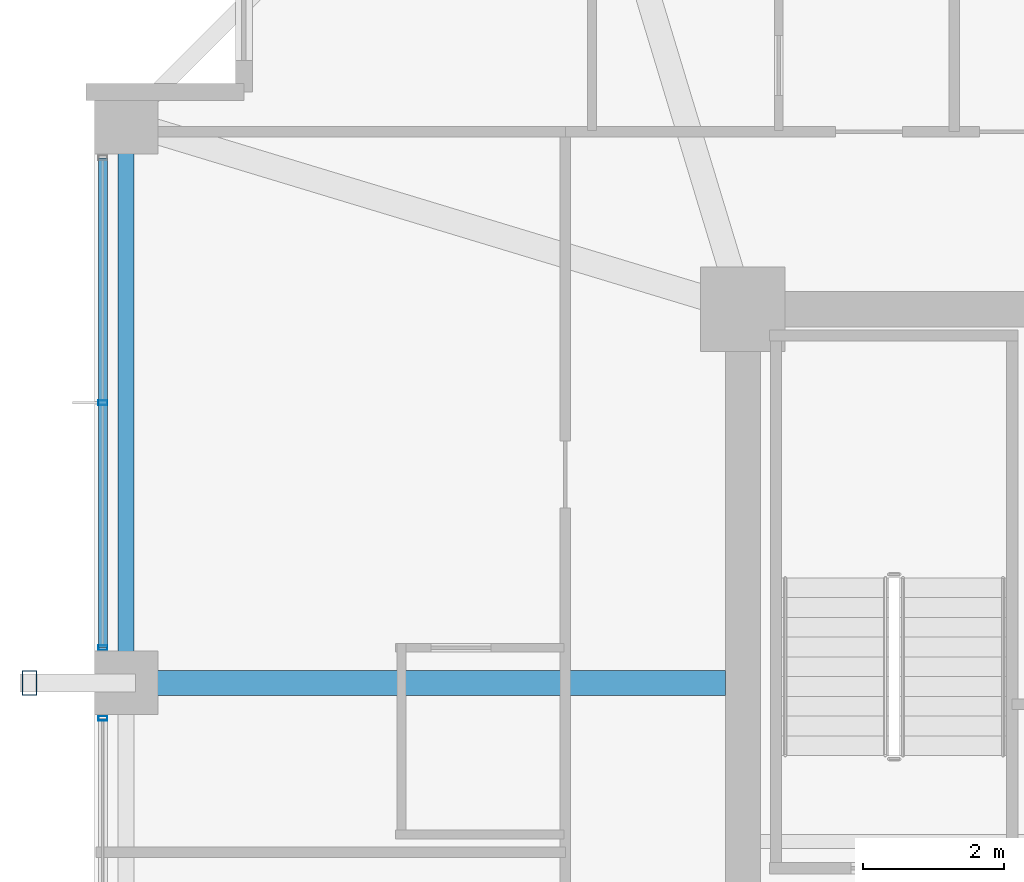
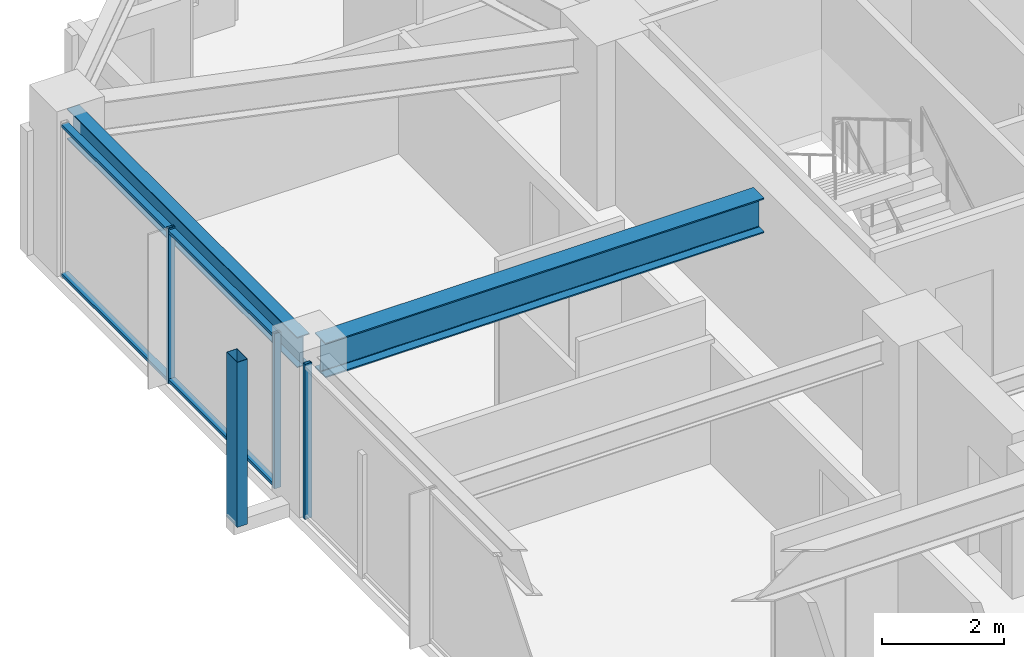
# One storey, part 9 of 32: 6 members, 2 beams, 2 elements without a shape of their own.
"""IFC4 building model written with IfcOpenShell, lengths in metres."""

import ifcopenshell
import ifcopenshell.guid

model = None  # the IFC model being written
_history = None  # IfcOwnerHistory: only IFC2X3 demands one
_inside = {}  # id of a spatial element -> (the spatial element, [elements in it])
_under = {}  # id of a project, library or spatial element -> (it, [spatial elements below it])
_declared = {}  # id of a project -> (the project, [libraries it declares])
_typed = {}  # id of a type object -> (the type object, [elements of that type])
_made_of = {}  # id of a material, layer set ... -> (it, [elements and type objects made of it])


def new_model(schema):
    """Start an empty IFC model of exactly this schema.

    Asked for "IFC4X3", IfcOpenShell would pick the latest addendum, in which some entities
    have other attributes; the version numbers below select the first issue.
    IFC2X3 requires an IfcOwnerHistory on every rooted entity: one is made here for all.
    """
    global model, _history
    if schema == "IFC4X3":
        model = ifcopenshell.file(schema_version=(4, 3, 0, 0))
    else:
        model = ifcopenshell.file(schema=schema)
    _inside.clear()
    _under.clear()
    _declared.clear()
    _typed.clear()
    _made_of.clear()
    _history = None
    if model.schema == "IFC2X3":
        org = make("IfcOrganization", Name="unknown")
        user = make(
            "IfcPersonAndOrganization",
            ThePerson=make("IfcPerson", FamilyName="unknown"),
            TheOrganization=org,
        )
        app = make(
            "IfcApplication",
            ApplicationDeveloper=org,
            Version="unknown",
            ApplicationFullName="unknown",
            ApplicationIdentifier="unknown",
        )
        _history = make(
            "IfcOwnerHistory",
            OwningUser=user,
            OwningApplication=app,
            ChangeAction="ADDED",
            CreationDate=0,
        )
    return model


def make(cls, **values):
    """One entity of the class cls with the attributes given. An attribute that is None is left unset."""
    return model.create_entity(
        cls, **{name: value for name, value in values.items() if value is not None}
    )


def rooted(cls, **values):
    """An entity with a GlobalId (a new one), such as an element, a storey or a relation."""
    return make(cls, GlobalId=ifcopenshell.guid.new(), OwnerHistory=_history, **values)


def si_unit(unit_type, name, prefix=None):
    """IfcSIUnit, for example si_unit("LENGTHUNIT", "METRE", prefix="MILLI")."""
    return make("IfcSIUnit", UnitType=unit_type, Prefix=prefix, Name=name)


def assignment(units):
    """IfcUnitAssignment: the units of a project."""
    return None if units is None else make("IfcUnitAssignment", Units=units)


def point(xyz):
    """IfcCartesianPoint."""
    return None if xyz is None else make("IfcCartesianPoint", Coordinates=xyz)


def direction(xyz):
    """IfcDirection."""
    return None if xyz is None else make("IfcDirection", DirectionRatios=xyz)


def frame(location, z_axis=None, x_axis=None):
    """IfcAxis2Placement3D, a coordinate frame: its origin and axes. An axis left out is left unset."""
    return make(
        "IfcAxis2Placement3D",
        Location=point(location),
        Axis=direction(z_axis),
        RefDirection=direction(x_axis),
    )


def frame_2d(location, x_axis=None):
    """IfcAxis2Placement2D, a coordinate frame in the plane: its origin and x axis."""
    return make(
        "IfcAxis2Placement2D", Location=point(location), RefDirection=direction(x_axis)
    )


def origin():
    """The frame at (0, 0, 0) with its axes left unset."""
    return frame((0.0, 0.0, 0.0))


def origin_2d():
    """The frame at (0, 0) in the plane with its x axis left unset."""
    return frame_2d((0.0, 0.0))


def place(relative_to, where):
    """IfcLocalPlacement: puts the frame where relative to a parent placement (None: the world)."""
    return make(
        "IfcLocalPlacement", PlacementRelTo=relative_to, RelativePlacement=where
    )


def context(
    kind, dimensions, precision=None, world=None, true_north=None, identifier=None
):
    """IfcGeometricRepresentationContext, for example the 3D "Model" context."""
    return make(
        "IfcGeometricRepresentationContext",
        ContextIdentifier=identifier,
        ContextType=kind,
        CoordinateSpaceDimension=dimensions,
        Precision=precision,
        WorldCoordinateSystem=world,
        TrueNorth=true_north,
    )


def subcontext(parent, identifier, kind, view, scale=None):
    """IfcGeometricRepresentationSubContext, for example "Body" below "Model"."""
    return make(
        "IfcGeometricRepresentationSubContext",
        ContextIdentifier=identifier,
        ContextType=kind,
        ParentContext=parent,
        TargetScale=scale,
        TargetView=view,
    )


def project(units=None, contexts=None):
    """IfcProject with its units and contexts."""
    return rooted(
        "IfcProject",
        Name="project",
        RepresentationContexts=contexts,
        UnitsInContext=assignment(units),
    )


def spatial(cls, under=None, at=None, **own):
    """A site, building, storey or space (cls), placed at a placement, below another one or the project."""
    s = rooted(cls, ObjectPlacement=at, **own)
    if under is not None:
        _under.setdefault(under.id(), (under, []))[1].append(s)
    return s


def profile(cls, at=None, kind="AREA", **sizes):
    """A parametric profile (cls). Its sizes go by their IFC names, for example OverallWidth=200.0."""
    return make(cls, ProfileType=kind, Position=at, **sizes)


def hollow_rectangle(**sizes):
    """IfcRectangleHollowProfileDef."""
    return profile("IfcRectangleHollowProfileDef", **sizes)


def i_section(**sizes):
    """IfcIShapeProfileDef."""
    return profile("IfcIShapeProfileDef", **sizes)


def extrude(swept, where, along, depth):
    """IfcExtrudedAreaSolid: the profile swept, set in the frame where, extruded along a direction by depth."""
    return make(
        "IfcExtrudedAreaSolid",
        SweptArea=swept,
        Position=where,
        ExtrudedDirection=direction(along),
        Depth=depth,
    )


def shape(context_of_items, identifier, shape_type, items):
    """IfcShapeRepresentation: the items that make up one representation, for example the "Body"."""
    return make(
        "IfcShapeRepresentation",
        ContextOfItems=context_of_items,
        RepresentationIdentifier=identifier,
        RepresentationType=shape_type,
        Items=items,
    )


def material(Name=None, Category=None):
    """IfcMaterial."""
    return make("IfcMaterial", Name=Name, Category=Category)


def material_profile(
    of_material, cross_section, Name=None, Category=None, Priority=None
):
    """IfcMaterialProfile: a cross section and its material."""
    return make(
        "IfcMaterialProfile",
        Name=Name,
        Material=of_material,
        Profile=cross_section,
        Priority=Priority,
        Category=Category,
    )


def profile_set(profiles, Name=None, composite=None):
    """IfcMaterialProfileSet."""
    return make(
        "IfcMaterialProfileSet",
        Name=Name,
        MaterialProfiles=profiles,
        CompositeProfile=composite,
    )


def made_of(thing, what):
    """Note that an element or type object is made of a material, layer set ...; save() writes the relation."""
    if what is not None:
        _made_of.setdefault(what.id(), (what, []))[1].append(thing)
    return thing


def type_object(cls, material=None, **own):
    """A type object (cls), such as IfcWallType, which elements share."""
    return made_of(rooted(cls, **own), material)


def element(
    cls,
    number,
    at=None,
    inside=None,
    cuts=None,
    type_object=None,
    material=None,
    context=None,
    identifier="Body",
    shape_type=None,
    held_by="IfcProductDefinitionShape",
    body=None,
    shapes=None,
    **own,
):
    """One element of the class cls, such as IfcWall. Its Tag is "e" and its number.

    at: its placement. inside: the storey or other place that contains it. cuts: it is an
    opening in that element (IfcRelVoidsElement). A single representation is given by context,
    identifier, shape_type and body (its items); several are given by shapes. held_by: the class
    of the entity that holds the representations. save() writes the other relations.
    """
    e = rooted(cls, Tag="e%d" % number, ObjectPlacement=at, **own)
    if body is not None:
        shapes = [shape(context, identifier, shape_type, body)]
    if shapes is not None:
        e.Representation = make(held_by, Representations=shapes)
    if inside is not None:
        _inside.setdefault(inside.id(), (inside, []))[1].append(e)
    if cuts is not None:
        rooted(
            "IfcRelVoidsElement", RelatingBuildingElement=cuts, RelatedOpeningElement=e
        )
    if type_object is not None:
        _typed.setdefault(type_object.id(), (type_object, []))[1].append(e)
    return made_of(e, material)


def aggregate(whole, parts):
    """IfcRelAggregates: a whole, such as a stair, and the parts it consists of."""
    return rooted("IfcRelAggregates", RelatingObject=whole, RelatedObjects=parts)


def save(model, path):
    """Write the relations noted so far, then the file.

    IfcRelAggregates (storeys below a building ...), IfcRelContainedInSpatialStructure (elements
    in a storey), IfcRelDefinesByType, IfcRelAssociatesMaterial and IfcRelDeclares: one each for
    every whole, place, type object, material and project.
    """
    for whole, parts in _under.values():
        aggregate(whole, parts)
    for where, things in _inside.values():
        rooted(
            "IfcRelContainedInSpatialStructure",
            RelatedElements=things,
            RelatingStructure=where,
        )
    for kind, things in _typed.values():
        rooted("IfcRelDefinesByType", RelatedObjects=things, RelatingType=kind)
    for what, things in _made_of.values():
        rooted("IfcRelAssociatesMaterial", RelatedObjects=things, RelatingMaterial=what)
    for by, libraries in _declared.values():
        rooted("IfcRelDeclares", RelatingContext=by, RelatedDefinitions=libraries)
    model.write(path)


model = new_model("IFC4")

# Units and contexts
model_context = context("Model", 3, precision=1e-05, world=origin(), true_north=direction((0.0, 1.0)))
body_context = subcontext(model_context, "Body", "Model", "MODEL_VIEW")
ifc_project = project(units=[si_unit("LENGTHUNIT", "METRE"), si_unit("AREAUNIT", "SQUARE_METRE"), si_unit("VOLUMEUNIT", "CUBIC_METRE"), si_unit("PLANEANGLEUNIT", "RADIAN"), si_unit("MASSUNIT", "GRAM", prefix="KILO")], contexts=[model_context])

# Site, building, storey
site_placement = place(None, origin())
site = spatial("IfcSite", under=ifc_project, at=site_placement, CompositionType="ELEMENT")
building_placement = place(site_placement, origin())
building = spatial("IfcBuilding", under=site, at=building_placement, Name="Kolvaren Belvedere", CompositionType="ELEMENT")
storey_placement = place(building_placement, frame((0.0, 0.0, 160.199951171875)))
storey = spatial("IfcBuildingStorey", under=building, at=storey_placement, Name="L46", CompositionType="ELEMENT", Elevation=160.199951171875)

# Beams
ifc_material_1 = material(Name="Structural steel ASTM A992 Grade 50", Category="steel")
ifc_material_profile_1 = material_profile(ifc_material_1, i_section(OverallWidth=0.35498046875, OverallDepth=0.696044921875, WebThickness=0.015380859375, FlangeThickness=0.02490234375, FilletRadius=0.02197265625, at=origin_2d()), Name="W27X146")
ifc_profile_set_1 = profile_set([ifc_material_profile_1], Name="Structural steel ASTM A992 Grade 50")
beam_type_1 = type_object("IfcBeamType", Name="BM-GIRD-W27X146", PredefinedType="BEAM", material=ifc_profile_set_1)
beam_1_placement = place(storey_placement, frame((-10.14990234375, 4.60009765625, 2.751953125), z_axis=(-1.0, 0.0, 0.0), x_axis=(0.0, -1.0, 0.0)))
element("IfcBeam", 1, at=beam_1_placement, inside=storey, type_object=beam_type_1, Name="L46 West Radial Girder P", PredefinedType="BEAM", context=body_context, shape_type="SweptSolid", body=[
    extrude(i_section(OverallWidth=0.35498046875, OverallDepth=0.696044921875, WebThickness=0.015380859375, FlangeThickness=0.02490234375, FilletRadius=0.02197265625, at=origin_2d()), origin(), (0.0, 0.0, 1.0), 8.297607421875),
])
ifc_material_2 = material(Name="Structural steel ASTM A992 Grade 50", Category="steel")
ifc_material_profile_2 = material_profile(ifc_material_2, i_section(OverallWidth=0.22900390625, OverallDepth=0.612060546875, WebThickness=0.011962890625, FlangeThickness=0.01953125, FilletRadius=0.01806640625, at=origin_2d()), Name="W24X84")
ifc_profile_set_2 = profile_set([ifc_material_profile_2], Name="Structural steel ASTM A992 Grade 50")
beam_type_2 = type_object("IfcBeamType", Name="BM-SPAN-W24X84", PredefinedType="SPANDREL", material=ifc_profile_set_2)
beam_2_placement = place(storey_placement, frame((-18.64990234375, 12.347412109375, 2.7939453125), z_axis=(0.0, -1.0, 0.0), x_axis=(1.0, 0.0, 0.0)))
element("IfcBeam", 2, at=beam_2_placement, inside=storey, type_object=beam_type_2, Name="L46 Perimeter Spandrel W4-W3", PredefinedType="SPANDREL", context=body_context, shape_type="SweptSolid", body=[
    extrude(i_section(OverallWidth=0.22900390625, OverallDepth=0.612060546875, WebThickness=0.011962890625, FlangeThickness=0.01953125, FilletRadius=0.01806640625, at=origin_2d()), origin(), (0.0, 0.0, 1.0), 7.544921875),
])

# Curtain wall, member
ifc_material_3 = material(Name="Anodised pale-metal aluminium AA 6063-T6", Category="aluminium")
curtain_wall_type = type_object("IfcCurtainWallType", Name="CW-Z3-WAIST", PredefinedType="NOTDEFINED", material=ifc_material_3)
curtain_wall_1_placement = place(storey_placement, origin())
curtain_wall_1 = element("IfcCurtainWall", 3, at=curtain_wall_1_placement, inside=storey, type_object=curtain_wall_type, Name="L46 Unitised Curtain Wall FCW-L46-W-B2", PredefinedType="NOTDEFINED")
ifc_material_4 = material(Name="Anodised pale-metal aluminium AA 6063-T6", Category="aluminium")
ifc_material_profile_3 = material_profile(ifc_material_4, hollow_rectangle(XDim=0.06494140625, YDim=0.1298828125, WallThickness=0.00390625, at=origin_2d()), Name="ALU-MUL-130X65")
ifc_profile_set_3 = profile_set([ifc_material_profile_3], Name="Anodised pale-metal aluminium AA 6063-T6")
member_type_1 = type_object("IfcMemberType", Name="CW-MUL-130", PredefinedType="MULLION", material=ifc_profile_set_3)
member_1_placement = place(storey_placement, frame((-18.97998046875, 4.097412109375, 0.0), z_axis=(0.0, 0.0, 1.0), x_axis=(0.0, 1.0, 0.0)))
member_1 = element("IfcMember", 4, at=member_1_placement, type_object=member_type_1, Name="FCW-L46-W-B2 Unitised Mullion 3", PredefinedType="MULLION", context=body_context, shape_type="SweptSolid", body=[
    extrude(hollow_rectangle(XDim=0.06494140625, YDim=0.1298828125, WallThickness=0.00390625, at=origin_2d()), origin(), (0.0, 0.0, 1.0), 3.10009765625),
])
aggregate(curtain_wall_1, [member_1])

# Curtain wall, members
curtain_wall_2_placement = place(storey_placement, origin())
curtain_wall_2 = element("IfcCurtainWall", 5, at=curtain_wall_2_placement, inside=storey, type_object=curtain_wall_type, Name="L46 Unitised Curtain Wall FCW-L46-W-B3", PredefinedType="NOTDEFINED")
member_2_placement = place(storey_placement, frame((-18.97998046875, 5.1025390625, 0.0), z_axis=(0.0, 0.0, 1.0), x_axis=(0.0, 1.0, 0.0)))
member_2 = element("IfcMember", 6, at=member_2_placement, type_object=member_type_1, Name="FCW-L46-W-B3 Unitised Mullion 1", PredefinedType="MULLION", context=body_context, shape_type="SweptSolid", body=[
    extrude(hollow_rectangle(XDim=0.06494140625, YDim=0.1298828125, WallThickness=0.00390625, at=origin_2d()), origin(), (0.0, 0.0, 1.0), 3.10009765625),
])
member_3_placement = place(storey_placement, frame((-18.97998046875, 8.574951171875, 0.0), z_axis=(0.0, 0.0, 1.0), x_axis=(0.0, 1.0, 0.0)))
member_3 = element("IfcMember", 7, at=member_3_placement, type_object=member_type_1, Name="FCW-L46-W-B3 Unitised Mullion 2", PredefinedType="MULLION", context=body_context, shape_type="SweptSolid", body=[
    extrude(hollow_rectangle(XDim=0.06494140625, YDim=0.1298828125, WallThickness=0.00390625, at=origin_2d()), origin(), (0.0, 0.0, 1.0), 3.10009765625),
])
ifc_material_5 = material(Name="Anodised pale-metal aluminium AA 6063-T6", Category="aluminium")
ifc_material_profile_4 = material_profile(ifc_material_5, hollow_rectangle(XDim=0.06005859375, YDim=0.1298828125, WallThickness=0.00390625, at=origin_2d()), Name="ALU-TRN-130X60")
ifc_profile_set_4 = profile_set([ifc_material_profile_4], Name="Anodised pale-metal aluminium AA 6063-T6")
member_type_2 = type_object("IfcMemberType", Name="CW-TRN-130", PredefinedType="USERDEFINED", material=ifc_profile_set_4)
member_4_placement = place(storey_placement, frame((-18.97998046875, 5.1025390625, 0.06005859375), z_axis=(0.0, 1.0, 0.0), x_axis=(0.0, 0.0, 1.0)))
member_4 = element("IfcMember", 8, at=member_4_placement, type_object=member_type_2, Name="FCW-L46-W-B3 Sill Transom", ObjectType="TRANSOM", PredefinedType="USERDEFINED", context=body_context, shape_type="SweptSolid", body=[
    extrude(hollow_rectangle(XDim=0.06005859375, YDim=0.1298828125, WallThickness=0.00390625, at=origin_2d()), origin(), (0.0, 0.0, 1.0), 6.945068359375),
])
member_5_placement = place(storey_placement, frame((-18.97998046875, 5.1025390625, 3.0400390625), z_axis=(0.0, 1.0, 0.0), x_axis=(0.0, 0.0, 1.0)))
member_5 = element("IfcMember", 9, at=member_5_placement, type_object=member_type_2, Name="FCW-L46-W-B3 Head Transom", ObjectType="TRANSOM", PredefinedType="USERDEFINED", context=body_context, shape_type="SweptSolid", body=[
    extrude(hollow_rectangle(XDim=0.06005859375, YDim=0.1298828125, WallThickness=0.00390625, at=origin_2d()), origin(), (0.0, 0.0, 1.0), 6.945068359375),
])
aggregate(curtain_wall_2, [member_2, member_3, member_4, member_5])

# Member
ifc_material_6 = material(Name="Anodised pale-metal aluminium AA 6063-T6", Category="aluminium")
ifc_material_profile_5 = material_profile(ifc_material_6, hollow_rectangle(XDim=0.199951171875, YDim=0.35009765625, WallThickness=0.007568359375, at=origin_2d()), Name="ALU-PF-350X200")
ifc_profile_set_5 = profile_set([ifc_material_profile_5], Name="Anodised pale-metal aluminium AA 6063-T6")
member_type_3 = type_object("IfcMemberType", Name="PF-FRAME-350", PredefinedType="USERDEFINED", material=ifc_profile_set_5)
member_6_placement = place(storey_placement, frame((-20.02001953125, 4.60009765625, 0.0), z_axis=(0.0, 0.0, 1.0), x_axis=(1.0, 0.0, 0.0)))
element("IfcMember", 10, at=member_6_placement, inside=storey, type_object=member_type_3, Name="L46 Outboard Picture-Frame Vertical W2", ObjectType="PICTURE FRAME FIN", PredefinedType="USERDEFINED", context=body_context, shape_type="SweptSolid", body=[
    extrude(hollow_rectangle(XDim=0.199951171875, YDim=0.35009765625, WallThickness=0.007568359375, at=origin_2d()), origin(), (0.0, 0.0, 1.0), 3.300048828125),
])

save(model, "model.ifc")
